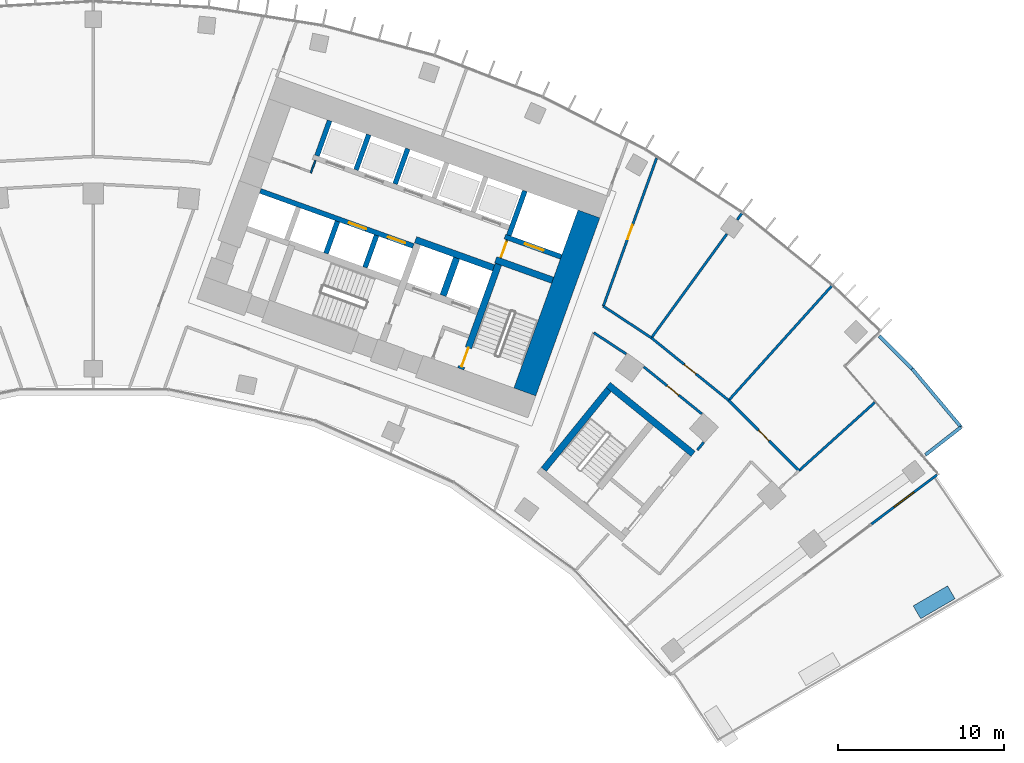
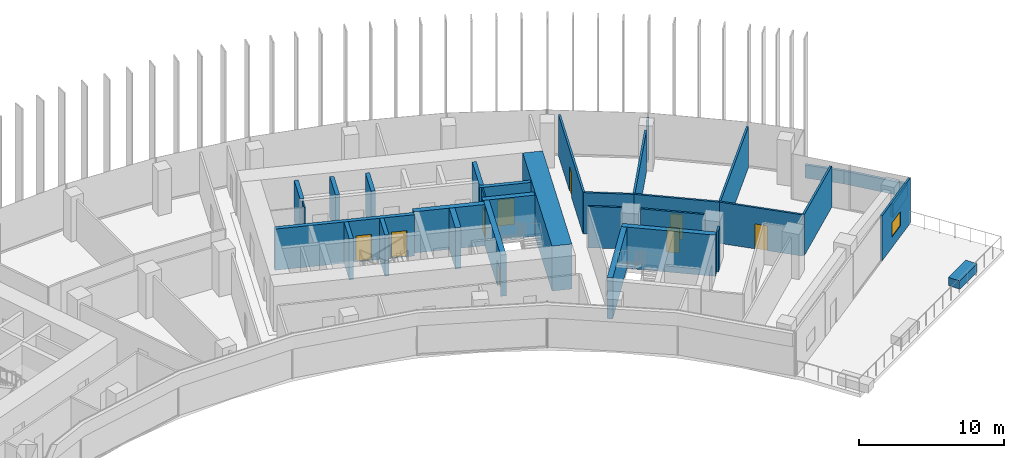
# One storey, part 19 of 23: 33 walls, 9 doors, 1 window, 10 openings.
"""IFC4 building model written with IfcOpenShell, lengths in metres."""

from ifc_helpers import new_model, si_unit, direction, frame, frame_2d, origin, origin_2d, place, context, subcontext, project, spatial, rectangle, extrude, material, layer, layer_set, type_object, element, fill, save


model = new_model("IFC4")

# Units and contexts
model_context = context("Model", 3, precision=1e-05, world=origin(), true_north=direction((0.0, 1.0)))
body_context = subcontext(model_context, "Body", "Model", "MODEL_VIEW")
ifc_project = project(units=[si_unit("LENGTHUNIT", "METRE"), si_unit("AREAUNIT", "SQUARE_METRE"), si_unit("VOLUMEUNIT", "CUBIC_METRE"), si_unit("PLANEANGLEUNIT", "RADIAN"), si_unit("MASSUNIT", "GRAM", prefix="KILO")], contexts=[model_context])

# Site, building, storey
site_placement = place(None, origin())
site = spatial("IfcSite", under=ifc_project, at=site_placement, CompositionType="ELEMENT")
building_placement = place(site_placement, origin())
building = spatial("IfcBuilding", under=site, at=building_placement, Name="Stone Belt Terrace Tower", CompositionType="ELEMENT")
storey_placement = place(building_placement, frame((0.0, 0.0, 144.0)))
storey = spatial("IfcBuildingStorey", under=building, at=storey_placement, Name="L34", CompositionType="ELEMENT", Elevation=144.0)

# Wall, opening, window
ifc_material_1 = material(Name="Terracotta coloured glazed ceramic", Category="masonry")
ifc_layer_1 = layer(ifc_material_1, 0.14990234375)
ifc_layer_set_1 = layer_set([ifc_layer_1], Name="Ceramic rain-screen wall 150")
wall_type_1 = type_object("IfcWallType", Name="Ceramic rain-screen wall 150", PredefinedType="SOLIDWALL", material=ifc_layer_set_1)
wall_1_placement = place(storey_placement, frame((46.876220703125, 35.06494140625, 0.0), z_axis=(0.0, 0.0, 1.0), x_axis=(0.799982273694, 0.600023634347, 0.0)))
wall_1 = element("IfcWall", 1, at=wall_1_placement, inside=storey, type_object=wall_type_1, Name="Door wall L34", PredefinedType="SOLIDWALL", context=body_context, shape_type="SweptSolid", body=[
    extrude(rectangle(XDim=4.958251953125, YDim=0.14990234375, at=frame_2d((2.47900390625, 0.0))), origin(), (0.0, 0.0, 1.0), 3.800048828125),
])
opening_1_placement = place(wall_1_placement, frame((1.72900390625, 0.0, 0.89990234375)))
opening_1 = element("IfcOpeningElement", 2, at=opening_1_placement, cuts=wall_1, Name="Opening L34-E03", PredefinedType="OPENING", context=body_context, shape_type="SweptSolid", body=[
    extrude(rectangle(XDim=1.5, YDim=1.199951171875, at=frame_2d((0.75, 0.60009765625))), frame((0.0, 0.0849609375, 0.0), z_axis=(0.0, -1.0, 0.0), x_axis=(1.0, 0.0, 0.0)), (0.0, 0.0, 1.0), 0.169921875),
])
ifc_material_2 = material(Name="Anodised aluminium window frame", Category="aluminium")
window_type = type_object("IfcWindowType", Name="Conservatory vent window 1500 x 1200", PartitioningType="SINGLE_PANEL", PredefinedType="WINDOW", material=ifc_material_2)
window_placement = place(opening_1_placement, origin())
window = element("IfcWindow", 3, at=window_placement, inside=storey, type_object=window_type, Name="Conservatory vent window L34", OverallHeight=1.199951171875, OverallWidth=1.5, PartitioningType="SINGLE_PANEL", PredefinedType="WINDOW", context=body_context, shape_type="SweptSolid", body=[
    extrude(rectangle(XDim=1.5, YDim=1.199951171875, at=frame_2d((0.75, 0.60009765625))), frame((0.0, 0.030029296875, 0.0), z_axis=(0.0, -1.0, 0.0), x_axis=(1.0, 0.0, 0.0)), (0.0, 0.0, 1.0), 0.06005859375),
])
fill(opening_1, window)

# Wall, opening, door
ifc_material_3 = material(Name="Plasterboard partition")
ifc_layer_2 = layer(ifc_material_3, 0.10009765625)
ifc_layer_set_2 = layer_set([ifc_layer_2], Name="Core partition 100")
wall_type_2 = type_object("IfcWallType", Name="Core partition 100", PredefinedType="PARTITIONING", material=ifc_layer_set_2)
wall_2_placement = place(storey_placement, frame((24.555908203125, 51.10400390625, 0.0), z_axis=(0.0, 0.0, 1.0), x_axis=(0.338621735342, 0.94092258999, 0.0)))
wall_2 = element("IfcWall", 4, at=wall_2_placement, inside=storey, type_object=wall_type_2, Name="Core B wall", PredefinedType="PARTITIONING", context=body_context, shape_type="SweptSolid", body=[
    extrude(rectangle(XDim=1.14990234375, YDim=0.10009765625, at=frame_2d((0.574951171875, 0.0))), origin(), (0.0, 0.0, 1.0), 3.47998046875),
])
opening_2_placement = place(wall_2_placement, frame((0.050048828125, 0.0, 0.0)))
opening_2 = element("IfcOpeningElement", 5, at=opening_2_placement, cuts=wall_2, Name="Opening L34-C12", PredefinedType="OPENING", context=body_context, shape_type="SweptSolid", body=[
    extrude(rectangle(XDim=1.0, YDim=2.10009765625, at=frame_2d((0.5, 1.050048828125))), frame((0.0, 0.06005859375, 0.0), z_axis=(0.0, -1.0, 0.0), x_axis=(1.0, 0.0, 0.0)), (0.0, 0.0, 1.0), 0.1201171875),
])
ifc_material_4 = material(Name="Timber door leaf", Category="wood")
door_type_1 = type_object("IfcDoorType", Name="Core room door 1000", OperationType="SINGLE_SWING_LEFT", PredefinedType="DOOR", material=ifc_material_4)
door_1_placement = place(opening_2_placement, origin())
door_1 = element("IfcDoor", 6, at=door_1_placement, inside=storey, type_object=door_type_1, Name="Service lift lobby door core B", OperationType="SINGLE_SWING_LEFT", OverallHeight=2.10009765625, OverallWidth=1.0, PredefinedType="DOOR", context=body_context, shape_type="SweptSolid", body=[
    extrude(rectangle(XDim=1.0, YDim=2.10009765625, at=frame_2d((0.5, 1.050048828125))), frame((0.0, 0.02490234375, 0.0), z_axis=(0.0, -1.0, 0.0), x_axis=(1.0, 0.0, 0.0)), (0.0, 0.0, 1.0), 0.050048828125),
])
fill(opening_2, door_1)

# Walls
wall_3_placement = place(storey_placement, frame((13.115966796875, 56.230712890625, 0.0), z_axis=(0.0, 0.0, 1.0), x_axis=(0.338481684961, 0.940972979923, 0.0)))
element("IfcWall", 7, at=wall_3_placement, inside=storey, type_object=wall_type_2, Name="Core B wall", PredefinedType="PARTITIONING", context=body_context, shape_type="SweptSolid", body=[
    extrude(rectangle(XDim=0.7998046875, YDim=0.10009765625, at=frame_2d((0.39990234375, 0.0))), origin(), (0.0, 0.0, 1.0), 3.47998046875),
])
ifc_material_5 = material(Name="Concrete B80", Category="concrete")
ifc_layer_3 = layer(ifc_material_5, 1.39990234375)
ifc_layer_set_3 = layer_set([ifc_layer_3], Name="Core wall 1400 B80")
wall_type_3 = type_object("IfcWallType", Name="Core wall 1400 B80", PredefinedType="SHEAR", material=ifc_layer_set_3)
wall_4_placement = place(storey_placement, frame((26.00927734375, 43.03515625, 0.0), z_axis=(0.0, 0.0, 1.0), x_axis=(0.338625431531, 0.940921259788, 0.0)))
element("IfcWall", 8, at=wall_4_placement, inside=storey, type_object=wall_type_3, Name="Core B wall end_b L34", PredefinedType="SHEAR", context=body_context, shape_type="SweptSolid", body=[
    extrude(rectangle(XDim=11.400146484375, YDim=1.39990234375, at=frame_2d((5.7001953125, 0.0))), origin(), (0.0, 0.0, 1.0), 3.800048828125),
])
ifc_layer_4 = layer(ifc_material_5, 0.39990234375)
ifc_layer_set_4 = layer_set([ifc_layer_4], Name="Fire-fighting lift shaft wall 400")
wall_type_4 = type_object("IfcWallType", Name="Fire-fighting lift shaft wall 400", PredefinedType="SHEAR", material=ifc_layer_set_4)
wall_5_placement = place(storey_placement, frame((24.130615234375, 50.512939453125, 0.0), z_axis=(0.0, 0.0, 1.0), x_axis=(-0.94091168377, 0.338652038744, 0.0)))
element("IfcWall", 9, at=wall_5_placement, inside=storey, type_object=wall_type_4, Name="Core B wall", PredefinedType="SHEAR", context=body_context, shape_type="SweptSolid", body=[
    extrude(rectangle(XDim=5.000244140625, YDim=0.39990234375, at=frame_2d((2.5, 0.0))), origin(), (0.0, 0.0, 1.0), 3.47998046875),
])
wall_6_placement = place(storey_placement, frame((21.0859375, 48.845458984375, 0.0), z_axis=(0.0, 0.0, 1.0), x_axis=(0.338629416206, 0.940919825745, 0.0)))
element("IfcWall", 10, at=wall_6_placement, inside=storey, type_object=wall_type_4, Name="Core B wall", PredefinedType="SHEAR", context=body_context, shape_type="SweptSolid", body=[
    extrude(rectangle(XDim=2.400146484375, YDim=0.39990234375, at=frame_2d((1.2001953125, 0.0))), origin(), (0.0, 0.0, 1.0), 3.47998046875),
])

# Wall, opening, door
ifc_layer_5 = layer(ifc_material_5, 0.300048828125)
ifc_layer_set_5 = layer_set([ifc_layer_5], Name="Lift shaft wall 300")
wall_type_5 = type_object("IfcWallType", Name="Lift shaft wall 300", PredefinedType="SHEAR", material=ifc_layer_set_5)
wall_7_placement = place(storey_placement, frame((28.195068359375, 51.17578125, 0.0), z_axis=(0.0, 0.0, 1.0), x_axis=(-0.940901243567, 0.338681044427, 0.0)))
wall_7 = element("IfcWall", 11, at=wall_7_placement, inside=storey, type_object=wall_type_5, Name="Core B wall", PredefinedType="SHEAR", context=body_context, shape_type="SweptSolid", body=[
    extrude(rectangle(XDim=3.599853515625, YDim=0.300048828125, at=frame_2d((1.7998046875, 0.0))), origin(), (0.0, 0.0, 1.0), 3.47998046875),
])
opening_3_placement = place(wall_7_placement, frame((1.1201171875, 0.0, 0.0)))
opening_3 = element("IfcOpeningElement", 12, at=opening_3_placement, cuts=wall_7, Name="Opening L34-LD20", PredefinedType="OPENING", context=body_context, shape_type="SweptSolid", body=[
    extrude(rectangle(XDim=1.199951171875, YDim=2.199951171875, at=frame_2d((0.60009765625, 1.10009765625))), frame((0.0, 0.159912109375, 0.0), z_axis=(0.0, -1.0, 0.0), x_axis=(1.0, 0.0, 0.0)), (0.0, 0.0, 1.0), 0.320068359375),
])
ifc_material_6 = material(Name="Stainless steel door leaf", Category="steel")
door_type_2 = type_object("IfcDoorType", Name="Landing door 1200", OperationType="SLIDING_TO_LEFT", PredefinedType="DOOR", material=ifc_material_6)
door_2_placement = place(opening_3_placement, origin())
door_2 = element("IfcDoor", 13, at=door_2_placement, inside=storey, type_object=door_type_2, Name="Landing door SV1 core B", OperationType="SLIDING_TO_LEFT", OverallHeight=2.199951171875, OverallWidth=1.199951171875, PredefinedType="DOOR", context=body_context, shape_type="SweptSolid", body=[
    extrude(rectangle(XDim=1.199951171875, YDim=2.199951171875, at=frame_2d((0.60009765625, 1.10009765625))), frame((0.0, 0.02490234375, 0.0), z_axis=(0.0, -1.0, 0.0), x_axis=(1.0, 0.0, 0.0)), (0.0, 0.0, 1.0), 0.050048828125),
])
fill(opening_3, door_2)

# Wall
wall_8_placement = place(storey_placement, frame((25.046875, 52.46826171875, 0.0), z_axis=(0.0, 0.0, 1.0), x_axis=(0.338549588058, 0.940948551423, 0.0)))
element("IfcWall", 14, at=wall_8_placement, inside=storey, type_object=wall_type_5, Name="Core B wall", PredefinedType="SHEAR", context=body_context, shape_type="SweptSolid", body=[
    extrude(rectangle(XDim=2.849853515625, YDim=0.300048828125, at=frame_2d((1.4248046875, 0.0))), origin(), (0.0, 0.0, 1.0), 3.47998046875),
])

# Wall, openings, doors
wall_9_placement = place(storey_placement, frame((19.29052734375, 51.829833984375, 0.0), z_axis=(0.0, 0.0, 1.0), x_axis=(-0.940925833398, 0.338612722803, 0.0)))
wall_9 = element("IfcWall", 15, at=wall_9_placement, inside=storey, type_object=wall_type_5, Name="Core B wall", PredefinedType="SHEAR", context=body_context, shape_type="SweptSolid", body=[
    extrude(rectangle(XDim=9.7998046875, YDim=0.300048828125, at=frame_2d((4.89990234375, 0.0))), origin(), (0.0, 0.0, 1.0), 3.47998046875),
])
opening_4_placement = place(wall_9_placement, frame((0.52001953125, 0.0, 0.0)))
opening_4 = element("IfcOpeningElement", 16, at=opening_4_placement, cuts=wall_9, Name="Opening L34-LD18", PredefinedType="OPENING", context=body_context, shape_type="SweptSolid", body=[
    extrude(rectangle(XDim=1.10009765625, YDim=2.199951171875, at=frame_2d((0.550048828125, 1.10009765625))), frame((0.0, 0.159912109375, 0.0), z_axis=(0.0, -1.0, 0.0), x_axis=(1.0, 0.0, 0.0)), (0.0, 0.0, 1.0), 0.320068359375),
])
opening_5_placement = place(wall_9_placement, frame((3.02001953125, 0.0, 0.0)))
opening_5 = element("IfcOpeningElement", 17, at=opening_5_placement, cuts=wall_9, Name="Opening L34-LD19", PredefinedType="OPENING", context=body_context, shape_type="SweptSolid", body=[
    extrude(rectangle(XDim=1.10009765625, YDim=2.199951171875, at=frame_2d((0.550048828125, 1.10009765625))), frame((0.0, 0.159912109375, 0.0), z_axis=(0.0, -1.0, 0.0), x_axis=(1.0, 0.0, 0.0)), (0.0, 0.0, 1.0), 0.320068359375),
])
door_type_3 = type_object("IfcDoorType", Name="Landing door 1100", OperationType="SLIDING_TO_LEFT", PredefinedType="DOOR", material=ifc_material_6)
door_3_placement = place(opening_4_placement, origin())
door_3 = element("IfcDoor", 18, at=door_3_placement, inside=storey, type_object=door_type_3, Name="Landing door SL1 core B", OperationType="SLIDING_TO_LEFT", OverallHeight=2.199951171875, OverallWidth=1.10009765625, PredefinedType="DOOR", context=body_context, shape_type="SweptSolid", body=[
    extrude(rectangle(XDim=1.10009765625, YDim=2.199951171875, at=frame_2d((0.550048828125, 1.10009765625))), frame((0.0, 0.02490234375, 0.0), z_axis=(0.0, -1.0, 0.0), x_axis=(1.0, 0.0, 0.0)), (0.0, 0.0, 1.0), 0.050048828125),
])
fill(opening_4, door_3)
door_4_placement = place(opening_5_placement, origin())
door_4 = element("IfcDoor", 19, at=door_4_placement, inside=storey, type_object=door_type_3, Name="Landing door SL2 core B", OperationType="SLIDING_TO_LEFT", OverallHeight=2.199951171875, OverallWidth=1.10009765625, PredefinedType="DOOR", context=body_context, shape_type="SweptSolid", body=[
    extrude(rectangle(XDim=1.10009765625, YDim=2.199951171875, at=frame_2d((0.550048828125, 1.10009765625))), frame((0.0, 0.02490234375, 0.0), z_axis=(0.0, -1.0, 0.0), x_axis=(1.0, 0.0, 0.0)), (0.0, 0.0, 1.0), 0.050048828125),
])
fill(opening_5, door_4)

# Walls
wall_10_placement = place(storey_placement, frame((16.38134765625, 50.53857421875, 0.0), z_axis=(0.0, 0.0, 1.0), x_axis=(0.338681515556, 0.940901073982, 0.0)))
element("IfcWall", 20, at=wall_10_placement, inside=storey, type_object=wall_type_5, Name="Core B wall", PredefinedType="SHEAR", context=body_context, shape_type="SweptSolid", body=[
    extrude(rectangle(XDim=2.050048828125, YDim=0.300048828125, at=frame_2d((1.02490234375, 0.0))), origin(), (0.0, 0.0, 1.0), 3.47998046875),
])
wall_11_placement = place(storey_placement, frame((18.193115234375, 55.572509765625, 0.0), z_axis=(0.0, 0.0, 1.0), x_axis=(0.338535034312, 0.940953787677, 0.0)))
element("IfcWall", 21, at=wall_11_placement, inside=storey, type_object=wall_type_5, Name="Core B wall", PredefinedType="SHEAR", context=body_context, shape_type="SweptSolid", body=[
    extrude(rectangle(XDim=2.25, YDim=0.300048828125, at=frame_2d((1.125, 0.0))), origin(), (0.0, 0.0, 1.0), 3.47998046875),
])
wall_12_placement = place(storey_placement, frame((14.029052734375, 51.38525390625, 0.0), z_axis=(0.0, 0.0, 1.0), x_axis=(0.338681515556, 0.940901073982, 0.0)))
element("IfcWall", 22, at=wall_12_placement, inside=storey, type_object=wall_type_5, Name="Core B wall", PredefinedType="SHEAR", context=body_context, shape_type="SweptSolid", body=[
    extrude(rectangle(XDim=2.050048828125, YDim=0.300048828125, at=frame_2d((1.02490234375, 0.0))), origin(), (0.0, 0.0, 1.0), 3.47998046875),
])
wall_13_placement = place(storey_placement, frame((15.8408203125, 56.419189453125, 0.0), z_axis=(0.0, 0.0, 1.0), x_axis=(0.338569601369, 0.940941350472, 0.0)))
element("IfcWall", 23, at=wall_13_placement, inside=storey, type_object=wall_type_5, Name="Core B wall", PredefinedType="SHEAR", context=body_context, shape_type="SweptSolid", body=[
    extrude(rectangle(XDim=2.249755859375, YDim=0.300048828125, at=frame_2d((1.125, 0.0))), origin(), (0.0, 0.0, 1.0), 3.47998046875),
])
wall_14_placement = place(storey_placement, frame((13.48828125, 57.265625, 0.0), z_axis=(0.0, 0.0, 1.0), x_axis=(0.338631098537, 0.940919220286, 0.0)))
element("IfcWall", 24, at=wall_14_placement, inside=storey, type_object=wall_type_5, Name="Core B wall", PredefinedType="SHEAR", context=body_context, shape_type="SweptSolid", body=[
    extrude(rectangle(XDim=2.250244140625, YDim=0.300048828125, at=frame_2d((1.125, 0.0))), origin(), (0.0, 0.0, 1.0), 3.47998046875),
])

# Wall, opening, door
ifc_material_7 = material(Name="Gypsum board partition")
ifc_layer_6 = layer(ifc_material_7, 0.14990234375)
ifc_layer_set_6 = layer_set([ifc_layer_6], Name="PARTITION 150 EI 60")
wall_type_6 = type_object("IfcWallType", Name="PARTITION 150 EI 60", PredefinedType="PARTITIONING", material=ifc_layer_set_6)
wall_15_placement = place(storey_placement, frame((33.951904296875, 57.131103515625, 0.0), z_axis=(0.0, 0.0, 1.0), x_axis=(-0.338586530295, -0.940935258933, 0.0)))
wall_15 = element("IfcWall", 25, at=wall_15_placement, inside=storey, type_object=wall_type_6, Name="L34/wall/i027", PredefinedType="PARTITIONING", context=body_context, shape_type="SweptSolid", body=[
    extrude(rectangle(XDim=9.494873046875, YDim=0.14990234375, at=frame_2d((4.74755859375, 0.0))), origin(), (0.0, 0.0, 1.0), 3.47998046875),
])
opening_6_placement = place(wall_15_placement, frame((4.29736328125, 0.0, 0.0)))
opening_6 = element("IfcOpeningElement", 26, at=opening_6_placement, cuts=wall_15, Name="Opening D-SK1-22", PredefinedType="OPENING", context=body_context, shape_type="SweptSolid", body=[
    extrude(rectangle(XDim=0.89990234375, YDim=2.10009765625, at=frame_2d((0.449951171875, 1.050048828125))), frame((0.0, 0.0849609375, 0.0), z_axis=(0.0, -1.0, 0.0), x_axis=(1.0, 0.0, 0.0)), (0.0, 0.0, 1.0), 0.169921875),
])
door_type_4 = type_object("IfcDoorType", Name="OFFICE DOOR 900 X 2100", OperationType="NOTDEFINED", PredefinedType="DOOR", material=ifc_material_4)
door_5_placement = place(opening_6_placement, origin())
door_5 = element("IfcDoor", 27, at=door_5_placement, inside=storey, type_object=door_type_4, Name="L34/door/i22", OperationType="SINGLE_SWING_RIGHT", OverallHeight=2.10009765625, OverallWidth=0.89990234375, PredefinedType="DOOR", context=body_context, shape_type="SweptSolid", body=[
    extrude(rectangle(XDim=0.89990234375, YDim=2.10009765625, at=frame_2d((0.449951171875, 1.050048828125))), frame((0.0, 0.02490234375, 0.0), z_axis=(0.0, -1.0, 0.0), x_axis=(1.0, 0.0, 0.0)), (0.0, 0.0, 1.0), 0.050048828125),
])
fill(opening_6, door_5)

# Wall
wall_16_placement = place(storey_placement, frame((42.52197265625, 38.287109375, 0.0), z_axis=(0.0, 0.0, 1.0), x_axis=(0.743096733758, 0.669184013765, 0.0)))
element("IfcWall", 28, at=wall_16_placement, inside=storey, type_object=wall_type_6, Name="L34/wall/i059", PredefinedType="PARTITIONING", context=body_context, shape_type="SweptSolid", body=[
    extrude(rectangle(XDim=6.150390625, YDim=0.14990234375, at=frame_2d((3.0751953125, 0.0))), origin(), (0.0, 0.0, 1.0), 3.47998046875),
])

# Wall, opening, door
wall_17_placement = place(storey_placement, frame((36.677001953125, 41.712890625, 0.0), z_axis=(0.0, 0.0, 1.0), x_axis=(-0.777148951547, 0.629316698578, 0.0)))
wall_17 = element("IfcWall", 29, at=wall_17_placement, inside=storey, type_object=wall_type_6, Name="L34/wall/i060", PredefinedType="PARTITIONING", context=body_context, shape_type="SweptSolid", body=[
    extrude(rectangle(XDim=4.505126953125, YDim=0.14990234375, at=frame_2d((2.25244140625, 0.0))), origin(), (0.0, 0.0, 1.0), 3.47998046875),
])
opening_7_placement = place(wall_17_placement, frame((1.802734375, 0.0, 0.0)))
opening_7 = element("IfcOpeningElement", 30, at=opening_7_placement, cuts=wall_17, Name="Opening D-SK1-20", PredefinedType="OPENING", context=body_context, shape_type="SweptSolid", body=[
    extrude(rectangle(XDim=0.89990234375, YDim=2.10009765625, at=frame_2d((0.449951171875, 1.050048828125))), frame((0.0, 0.0849609375, 0.0), z_axis=(0.0, -1.0, 0.0), x_axis=(1.0, 0.0, 0.0)), (0.0, 0.0, 1.0), 0.169921875),
])
door_6_placement = place(opening_7_placement, origin())
door_6 = element("IfcDoor", 31, at=door_6_placement, inside=storey, type_object=door_type_4, Name="L34/door/i20", OperationType="SINGLE_SWING_RIGHT", OverallHeight=2.10009765625, OverallWidth=0.89990234375, PredefinedType="DOOR", context=body_context, shape_type="SweptSolid", body=[
    extrude(rectangle(XDim=0.89990234375, YDim=2.10009765625, at=frame_2d((0.449951171875, 1.050048828125))), frame((0.0, 0.02490234375, 0.0), z_axis=(0.0, -1.0, 0.0), x_axis=(1.0, 0.0, 0.0)), (0.0, 0.0, 1.0), 0.050048828125),
])
fill(opening_7, door_6)

# Walls
wall_18_placement = place(storey_placement, frame((32.1181640625, 45.3212890625, 0.0), z_axis=(0.0, 0.0, 1.0), x_axis=(-0.835406992815, 0.549631837102, 0.0)))
element("IfcWall", 32, at=wall_18_placement, inside=storey, type_object=wall_type_6, Name="L34/wall/i061", PredefinedType="PARTITIONING", context=body_context, shape_type="SweptSolid", body=[
    extrude(rectangle(XDim=2.339111328125, YDim=0.14990234375, at=frame_2d((1.16943359375, 0.0))), origin(), (0.0, 0.0, 1.0), 3.47998046875),
])
wall_19_placement = place(storey_placement, frame((30.739013671875, 48.202880859375, 0.0), z_axis=(0.0, 0.0, 1.0), x_axis=(0.835274160171, -0.549833681535, 0.0)))
element("IfcWall", 33, at=wall_19_placement, inside=storey, type_object=wall_type_6, Name="L34/wall/i063", PredefinedType="PARTITIONING", context=body_context, shape_type="SweptSolid", body=[
    extrude(rectangle(XDim=3.46826171875, YDim=0.14990234375, at=frame_2d((1.734130859375, 0.0))), origin(), (0.0, 0.0, 1.0), 3.47998046875),
])

# Wall, opening, door
wall_20_placement = place(storey_placement, frame((33.635986328125, 46.2958984375, 0.0), z_axis=(0.0, 0.0, 1.0), x_axis=(0.777109127033, -0.629365875054, 0.0)))
wall_20 = element("IfcWall", 34, at=wall_20_placement, inside=storey, type_object=wall_type_6, Name="L34/wall/i064", PredefinedType="PARTITIONING", context=body_context, shape_type="SweptSolid", body=[
    extrude(rectangle(XDim=5.990234375, YDim=0.14990234375, at=frame_2d((2.9951171875, 0.0))), origin(), (0.0, 0.0, 1.0), 3.47998046875),
])
opening_8_placement = place(wall_20_placement, frame((2.545166015625, 0.0, 0.0)))
opening_8 = element("IfcOpeningElement", 35, at=opening_8_placement, cuts=wall_20, Name="Opening D-SK1-23", PredefinedType="OPENING", context=body_context, shape_type="SweptSolid", body=[
    extrude(rectangle(XDim=0.89990234375, YDim=2.10009765625, at=frame_2d((0.449951171875, 1.050048828125))), frame((0.0, 0.0849609375, 0.0), z_axis=(0.0, -1.0, 0.0), x_axis=(1.0, 0.0, 0.0)), (0.0, 0.0, 1.0), 0.169921875),
])
door_7_placement = place(opening_8_placement, origin())
door_7 = element("IfcDoor", 36, at=door_7_placement, inside=storey, type_object=door_type_4, Name="L34/door/i23", OperationType="SINGLE_SWING_RIGHT", OverallHeight=2.10009765625, OverallWidth=0.89990234375, PredefinedType="DOOR", context=body_context, shape_type="SweptSolid", body=[
    extrude(rectangle(XDim=0.89990234375, YDim=2.10009765625, at=frame_2d((0.449951171875, 1.050048828125))), frame((0.0, 0.02490234375, 0.0), z_axis=(0.0, -1.0, 0.0), x_axis=(1.0, 0.0, 0.0)), (0.0, 0.0, 1.0), 0.050048828125),
])
fill(opening_8, door_7)

wall_21_placement = place(storey_placement, frame((38.291015625, 42.52587890625, 0.0), z_axis=(0.0, 0.0, 1.0), x_axis=(0.707106781187, -0.707106781187, 0.0)))
wall_21 = element("IfcWall", 37, at=wall_21_placement, inside=storey, type_object=wall_type_6, Name="L34/wall/i065", PredefinedType="PARTITIONING", context=body_context, shape_type="SweptSolid", body=[
    extrude(rectangle(XDim=5.989013671875, YDim=0.14990234375, at=frame_2d((2.99462890625, 0.0))), origin(), (0.0, 0.0, 1.0), 3.47998046875),
])
opening_9_placement = place(wall_21_placement, frame((2.544677734375, 0.0, 0.0)))
opening_9 = element("IfcOpeningElement", 38, at=opening_9_placement, cuts=wall_21, Name="Opening D-SK1-24", PredefinedType="OPENING", context=body_context, shape_type="SweptSolid", body=[
    extrude(rectangle(XDim=0.89990234375, YDim=2.10009765625, at=frame_2d((0.449951171875, 1.050048828125))), frame((0.0, 0.0849609375, 0.0), z_axis=(0.0, -1.0, 0.0), x_axis=(1.0, 0.0, 0.0)), (0.0, 0.0, 1.0), 0.169921875),
])
door_8_placement = place(opening_9_placement, origin())
door_8 = element("IfcDoor", 39, at=door_8_placement, inside=storey, type_object=door_type_4, Name="L34/door/i24", OperationType="SINGLE_SWING_RIGHT", OverallHeight=2.10009765625, OverallWidth=0.89990234375, PredefinedType="DOOR", context=body_context, shape_type="SweptSolid", body=[
    extrude(rectangle(XDim=0.89990234375, YDim=2.10009765625, at=frame_2d((0.449951171875, 1.050048828125))), frame((0.0, 0.02490234375, 0.0), z_axis=(0.0, -1.0, 0.0), x_axis=(1.0, 0.0, 0.0)), (0.0, 0.0, 1.0), 0.050048828125),
])
fill(opening_9, door_8)

# Walls
wall_22_placement = place(storey_placement, frame((36.406005859375, 39.537109375, 0.0), z_axis=(0.0, 0.0, 1.0), x_axis=(0.630546944263, 0.77615111356, 0.0)))
element("IfcWall", 40, at=wall_22_placement, inside=storey, type_object=wall_type_6, Name="L34/wall/i066", PredefinedType="PARTITIONING", context=body_context, shape_type="SweptSolid", body=[
    extrude(rectangle(XDim=0.603515625, YDim=0.14990234375, at=frame_2d((0.3017578125, 0.0))), origin(), (0.0, 0.0, 1.0), 3.47998046875),
])
wall_23_placement = place(storey_placement, frame((39.087890625, 53.7998046875, 0.0), z_axis=(0.0, 0.0, 1.0), x_axis=(-0.587839914735, -0.808977276964, 0.0)))
element("IfcWall", 41, at=wall_23_placement, inside=storey, type_object=wall_type_6, Name="L34/wall/i069", PredefinedType="PARTITIONING", context=body_context, shape_type="SweptSolid", body=[
    extrude(rectangle(XDim=0.4814453125, YDim=0.14990234375, at=frame_2d((0.24072265625, 0.0))), origin(), (0.0, 0.0, 1.0), 3.47998046875),
])
wall_24_placement = place(storey_placement, frame((38.181884765625, 52.552978515625, 0.0), z_axis=(0.0, 0.0, 1.0), x_axis=(-0.58777371424, -0.809025377135, 0.0)))
element("IfcWall", 42, at=wall_24_placement, inside=storey, type_object=wall_type_6, Name="L34/wall/i070", PredefinedType="PARTITIONING", context=body_context, shape_type="SweptSolid", body=[
    extrude(rectangle(XDim=7.734130859375, YDim=0.14990234375, at=frame_2d((3.8671875, 0.0))), origin(), (0.0, 0.0, 1.0), 3.47998046875),
])
wall_25_placement = place(storey_placement, frame((44.496826171875, 49.41943359375, 0.0), z_axis=(0.0, 0.0, 1.0), x_axis=(-0.669060704206, -0.743207759706, 0.0)))
element("IfcWall", 43, at=wall_25_placement, inside=storey, type_object=wall_type_6, Name="L34/wall/i071", PredefinedType="PARTITIONING", context=body_context, shape_type="SweptSolid", body=[
    extrude(rectangle(XDim=9.275390625, YDim=0.14990234375, at=frame_2d((4.6376953125, 0.0))), origin(), (0.0, 0.0, 1.0), 3.47998046875),
])
ifc_material_8 = material(Name="Precast concrete C40/50", Category="concrete")
ifc_layer_7 = layer(ifc_material_8, 0.89990234375)
ifc_layer_set_7 = layer_set([ifc_layer_7], Name="Planter box 900 x 700")
wall_type_7 = type_object("IfcWallType", Name="Planter box 900 x 700", PredefinedType="SOLIDWALL", material=ifc_layer_set_7)
wall_26_placement = place(storey_placement, frame((50.669189453125, 30.36279296875, 0.0), z_axis=(0.0, 0.0, 1.0), x_axis=(0.864239322284, 0.503080901861, 0.0)))
element("IfcWall", 44, at=wall_26_placement, inside=storey, type_object=wall_type_7, Name="PLANTER L34 3", PredefinedType="SOLIDWALL", context=body_context, shape_type="SweptSolid", body=[
    extrude(rectangle(XDim=2.39990234375, YDim=0.89990234375, at=origin_2d()), origin(), (0.0, 0.0, 1.0), 0.699951171875),
])
ifc_layer_8 = layer(ifc_material_8, 0.199951171875)
ifc_layer_set_8 = layer_set([ifc_layer_8], Name="Roof parapet 200 x 1100")
wall_type_8 = type_object("IfcWallType", Name="Roof parapet 200 x 1100", PredefinedType="PARAPET", material=ifc_layer_set_8)
wall_27_placement = place(storey_placement, frame((49.34521484375, 44.4296875, 0.0), z_axis=(0.0, 0.0, 1.0), x_axis=(-0.707106781187, 0.707106781187, 0.0)))
element("IfcWall", 45, at=wall_27_placement, inside=storey, type_object=wall_type_8, Name="PARAPET L34", PredefinedType="PARAPET", context=body_context, shape_type="SweptSolid", body=[
    extrude(rectangle(XDim=2.79248046875, YDim=0.199951171875, at=frame_2d((1.396240234375, 0.0))), origin(), (0.0, 0.0, 1.0), 1.10009765625),
])
wall_28_placement = place(storey_placement, frame((50.143798828125, 39.244873046875, 0.0), z_axis=(0.0, 0.0, 1.0), x_axis=(0.788486641594, 0.615051880761, 0.0)))
element("IfcWall", 46, at=wall_28_placement, inside=storey, type_object=wall_type_8, Name="PARAPET L34", PredefinedType="PARAPET", context=body_context, shape_type="SweptSolid", body=[
    extrude(rectangle(XDim=2.720947265625, YDim=0.199951171875, at=frame_2d((1.3603515625, 0.0))), origin(), (0.0, 0.0, 1.0), 1.10009765625),
])
wall_29_placement = place(storey_placement, frame((52.289306640625, 40.91845703125, 0.0), z_axis=(0.0, 0.0, 1.0), x_axis=(-0.642508331622, 0.766278698514, 0.0)))
element("IfcWall", 47, at=wall_29_placement, inside=storey, type_object=wall_type_8, Name="PARAPET L34", PredefinedType="PARAPET", context=body_context, shape_type="SweptSolid", body=[
    extrude(rectangle(XDim=4.582275390625, YDim=0.199951171875, at=frame_2d((2.291015625, 0.0))), origin(), (0.0, 0.0, 1.0), 1.10009765625),
])
ifc_layer_9 = layer(ifc_material_5, 0.39990234375)
ifc_layer_set_9 = layer_set([ifc_layer_9], Name="Stair enclosure wall 400")
wall_type_9 = type_object("IfcWallType", Name="Stair enclosure wall 400", PredefinedType="SHEAR", material=ifc_layer_set_9)
wall_30_placement = place(storey_placement, frame((27.687255859375, 49.764404296875, 0.0), z_axis=(0.0, 0.0, 1.0), x_axis=(-0.940918954884, 0.338631835981, 0.0)))
element("IfcWall", 48, at=wall_30_placement, inside=storey, type_object=wall_type_9, Name="Core B wall", PredefinedType="SHEAR", context=body_context, shape_type="SweptSolid", body=[
    extrude(rectangle(XDim=3.650146484375, YDim=0.39990234375, at=frame_2d((1.8251953125, 0.0))), origin(), (0.0, 0.0, 1.0), 3.47998046875),
])

# Wall, opening, door
wall_31_placement = place(storey_placement, frame((22.151611328125, 44.42333984375, 0.0), z_axis=(0.0, 0.0, 1.0), x_axis=(0.338625272931, 0.940921316866, 0.0)))
wall_31 = element("IfcWall", 49, at=wall_31_placement, inside=storey, type_object=wall_type_9, Name="Core B wall", PredefinedType="SHEAR", context=body_context, shape_type="SweptSolid", body=[
    extrude(rectangle(XDim=6.699951171875, YDim=0.39990234375, at=frame_2d((3.35009765625, 0.0))), origin(), (0.0, 0.0, 1.0), 3.47998046875),
])
opening_10_placement = place(wall_31_placement, frame((0.14990234375, 0.0, 0.0)))
opening_10 = element("IfcOpeningElement", 50, at=opening_10_placement, cuts=wall_31, Name="Opening L34-C14", PredefinedType="OPENING", context=body_context, shape_type="SweptSolid", body=[
    extrude(rectangle(XDim=1.199951171875, YDim=2.10009765625, at=frame_2d((0.60009765625, 1.050048828125))), frame((0.0, 0.2099609375, 0.0), z_axis=(0.0, -1.0, 0.0), x_axis=(1.0, 0.0, 0.0)), (0.0, 0.0, 1.0), 0.419921875),
])
ifc_material_9 = material(Name="Steel door leaf", Category="steel")
door_type_5 = type_object("IfcDoorType", Name="Stair door 1200", OperationType="SINGLE_SWING_LEFT", PredefinedType="DOOR", material=ifc_material_9)
door_9_placement = place(opening_10_placement, origin())
door_9 = element("IfcDoor", 51, at=door_9_placement, inside=storey, type_object=door_type_5, Name="Stair 1 door core B", OperationType="SINGLE_SWING_LEFT", OverallHeight=2.10009765625, OverallWidth=1.199951171875, PredefinedType="DOOR", context=body_context, shape_type="SweptSolid", body=[
    extrude(rectangle(XDim=1.199951171875, YDim=2.10009765625, at=frame_2d((0.60009765625, 1.050048828125))), frame((0.0, 0.02490234375, 0.0), z_axis=(0.0, -1.0, 0.0), x_axis=(1.0, 0.0, 0.0)), (0.0, 0.0, 1.0), 0.050048828125),
])
fill(opening_10, door_9)

# Walls
wall_32_placement = place(storey_placement, frame((31.02783203125, 43.46337890625, 0.0), z_axis=(0.0, 0.0, 1.0), x_axis=(0.776413760801, -0.630223509589, 0.0)))
element("IfcWall", 52, at=wall_32_placement, inside=storey, type_object=wall_type_9, Name="Exit stair ST3B wall", PredefinedType="SHEAR", context=body_context, shape_type="SweptSolid", body=[
    extrude(rectangle(XDim=6.599853515625, YDim=0.39990234375, at=frame_2d((3.2998046875, 0.0))), origin(), (0.0, 0.0, 1.0), 3.47998046875),
])
wall_33_placement = place(storey_placement, frame((27.149658203125, 38.3681640625, 0.0), z_axis=(0.0, 0.0, 1.0), x_axis=(0.630211551729, 0.776423466973, 0.0)))
element("IfcWall", 53, at=wall_33_placement, inside=storey, type_object=wall_type_9, Name="Exit stair ST3B wall", PredefinedType="SHEAR", context=body_context, shape_type="SweptSolid", body=[
    extrude(rectangle(XDim=6.199951171875, YDim=0.39990234375, at=frame_2d((3.10009765625, 0.0))), origin(), (0.0, 0.0, 1.0), 3.47998046875),
])

save(model, "model.ifc")
